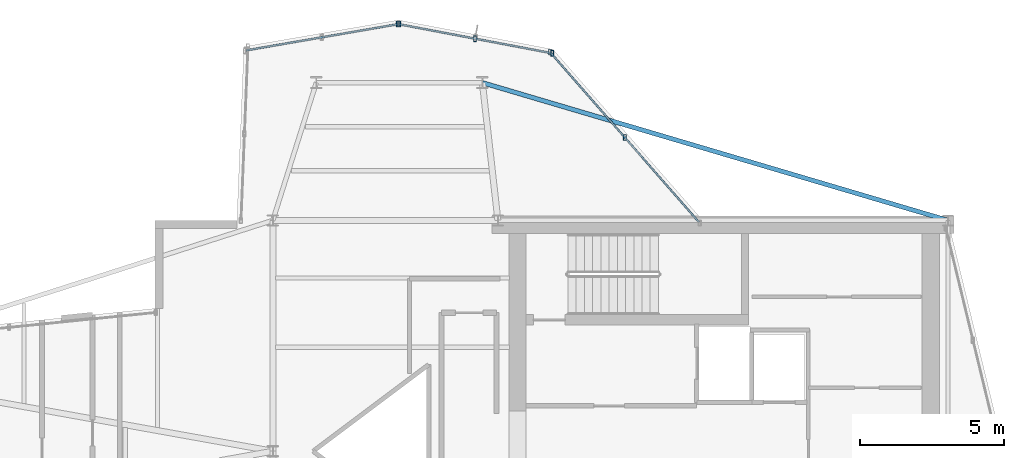
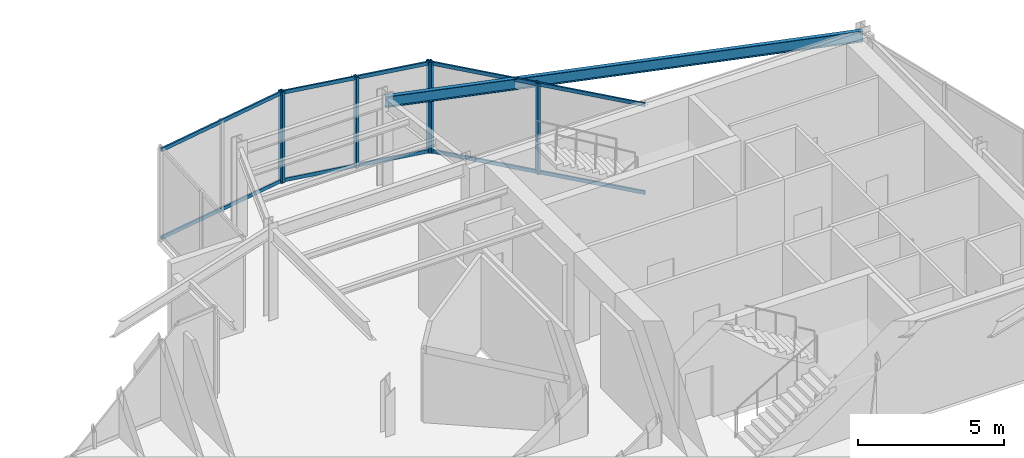
# One storey, part 7 of 14: 12 members, 1 beam, 3 elements without a shape of their own.
"""IFC4 building model written with IfcOpenShell, lengths in metres."""

from ifc_helpers import new_model, si_unit, direction, frame, origin, origin_2d, place, context, subcontext, project, spatial, hollow_rectangle, i_section, extrude, material, layer, layer_set, material_profile, profile_set, type_object, element, aggregate, save


model = new_model("IFC4")

# Units and contexts
model_context = context("Model", 3, precision=1e-05, world=origin(), true_north=direction((0.0, 1.0)))
body_context = subcontext(model_context, "Body", "Model", "MODEL_VIEW")
ifc_project = project(units=[si_unit("LENGTHUNIT", "METRE"), si_unit("AREAUNIT", "SQUARE_METRE"), si_unit("VOLUMEUNIT", "CUBIC_METRE"), si_unit("PLANEANGLEUNIT", "RADIAN"), si_unit("MASSUNIT", "GRAM", prefix="KILO")], contexts=[model_context])

# Site, building, storey
site_placement = place(None, origin())
site = spatial("IfcSite", under=ifc_project, at=site_placement, CompositionType="ELEMENT")
building_placement = place(site_placement, origin())
building = spatial("IfcBuilding", under=site, at=building_placement, Name="Veymaron Broadcast Tower", CompositionType="ELEMENT")
storey_placement = place(building_placement, frame((0.0, 0.0, 270.89990234375)))
storey = spatial("IfcBuildingStorey", under=building, at=storey_placement, Name="L63", CompositionType="ELEMENT", Elevation=270.89990234375)

# Beam
ifc_material_1 = material(Name="Structural steel ASTM A992 Gr 50", Category="steel")
ifc_material_profile_1 = material_profile(ifc_material_1, i_section(OverallWidth=0.154052734375, OverallDepth=0.458984375, WebThickness=0.009033203125, FlangeThickness=0.015380859375, at=origin_2d()), Name="W460X68")
ifc_profile_set_1 = profile_set([ifc_material_profile_1], Name="Structural steel ASTM A992 Gr 50")
beam_type = type_object("IfcBeamType", Name="BM-SP2", PredefinedType="SPANDREL", material=ifc_profile_set_1)
beam_placement = place(storey_placement, frame((54.60009765625, 32.0, 3.58056640625), z_axis=(-0.958955148663, 0.283557794556, 0.0), x_axis=(-0.283557794556, -0.958955148663, 0.0)))
element("IfcBeam", 1, at=beam_placement, inside=storey, type_object=beam_type, Name="L63 primary structural floor girder", PredefinedType="SPANDREL", context=body_context, shape_type="SweptSolid", body=[
    extrude(i_section(OverallWidth=0.154052734375, OverallDepth=0.458984375, WebThickness=0.009033203125, FlangeThickness=0.015380859375, at=origin_2d()), origin(), (0.0, 0.0, 1.0), 16.828857421875),
])

# Curtain wall, members
ifc_material_2 = material(Name="Anodised aluminium AA 6063-T6 and laminated low-E dark glass", Category="aluminium")
ifc_layer = layer(ifc_material_2, 0.179931640625)
ifc_layer_set = layer_set([ifc_layer], Name="Anodised aluminium AA 6063-T6 and laminated low-E dark glass")
curtain_wall_type = type_object("IfcCurtainWallType", Name="CW-SYS-06", PredefinedType="NOTDEFINED", material=ifc_layer_set)
curtain_wall_1_placement = place(storey_placement, origin())
curtain_wall_1 = element("IfcCurtainWall", 2, at=curtain_wall_1_placement, inside=storey, type_object=curtain_wall_type, Name="L63 dark-glass curtain wall CW-L63-E5-1", PredefinedType="NOTDEFINED")
ifc_material_3 = material(Name="Anodised aluminium AA 6063-T6", Category="aluminium")
ifc_material_profile_2 = material_profile(ifc_material_3, hollow_rectangle(XDim=0.10009765625, YDim=0.199951171875, WallThickness=0.010009765625, at=origin_2d()), Name="RHS200X100X10")
ifc_profile_set_2 = profile_set([ifc_material_profile_2], Name="Anodised aluminium AA 6063-T6")
member_type_1 = type_object("IfcMemberType", Name="CW-MUL-01", PredefinedType="MULLION", material=ifc_profile_set_2)
member_1_placement = place(storey_placement, frame((43.400146484375, 34.872314453125, 0.0), z_axis=(0.0, 0.0, 1.0), x_axis=(1.0, 0.0, 0.0)))
member_1 = element("IfcMember", 3, at=member_1_placement, type_object=member_type_1, Name="CW-L63-E5-1 mullion 1", PredefinedType="MULLION", context=body_context, shape_type="SweptSolid", body=[
    extrude(hollow_rectangle(XDim=0.10009765625, YDim=0.199951171875, WallThickness=0.010009765625, at=origin_2d()), origin(), (0.0, 0.0, 1.0), 3.81005859375),
])
member_2_placement = place(storey_placement, frame((40.805908203125, 37.836669921875, 0.0), z_axis=(0.0, 0.0, 1.0), x_axis=(1.0, 0.0, 0.0)))
member_2 = element("IfcMember", 4, at=member_2_placement, type_object=member_type_1, Name="CW-L63-E5-1 mullion 2", PredefinedType="MULLION", context=body_context, shape_type="SweptSolid", body=[
    extrude(hollow_rectangle(XDim=0.10009765625, YDim=0.199951171875, WallThickness=0.010009765625, at=origin_2d()), origin(), (0.0, 0.0, 1.0), 3.81005859375),
])

curtain_wall_2_placement = place(storey_placement, origin())
curtain_wall_2 = element("IfcCurtainWall", 5, at=curtain_wall_2_placement, inside=storey, type_object=curtain_wall_type, Name="L63 dark-glass curtain wall CW-L63-E6-1", PredefinedType="NOTDEFINED")
member_3_placement = place(storey_placement, frame((40.88525390625, 37.791259765625, 0.0), z_axis=(0.0, 0.0, 1.0), x_axis=(1.0, 0.0, 0.0)))
member_3 = element("IfcMember", 6, at=member_3_placement, type_object=member_type_1, Name="CW-L63-E6-1 mullion 0", PredefinedType="MULLION", context=body_context, shape_type="SweptSolid", body=[
    extrude(hollow_rectangle(XDim=0.10009765625, YDim=0.199951171875, WallThickness=0.010009765625, at=origin_2d()), origin(), (0.0, 0.0, 1.0), 3.81005859375),
])
member_4_placement = place(storey_placement, frame((38.206298828125, 38.299560546875, 0.0), z_axis=(0.0, 0.0, 1.0), x_axis=(1.0, 0.0, 0.0)))
member_4 = element("IfcMember", 7, at=member_4_placement, type_object=member_type_1, Name="CW-L63-E6-1 mullion 1", PredefinedType="MULLION", context=body_context, shape_type="SweptSolid", body=[
    extrude(hollow_rectangle(XDim=0.10009765625, YDim=0.199951171875, WallThickness=0.010009765625, at=origin_2d()), origin(), (0.0, 0.0, 1.0), 3.81005859375),
])
member_5_placement = place(storey_placement, frame((35.527099609375, 38.8076171875, 0.0), z_axis=(0.0, 0.0, 1.0), x_axis=(1.0, 0.0, 0.0)))
member_5 = element("IfcMember", 8, at=member_5_placement, type_object=member_type_1, Name="CW-L63-E6-1 mullion 2", PredefinedType="MULLION", context=body_context, shape_type="SweptSolid", body=[
    extrude(hollow_rectangle(XDim=0.10009765625, YDim=0.199951171875, WallThickness=0.010009765625, at=origin_2d()), origin(), (0.0, 0.0, 1.0), 3.81005859375),
])

# Curtain wall, member
curtain_wall_3_placement = place(storey_placement, origin())
curtain_wall_3 = element("IfcCurtainWall", 9, at=curtain_wall_3_placement, inside=storey, type_object=curtain_wall_type, Name="L63 dark-glass curtain wall CW-L63-E7-1", PredefinedType="NOTDEFINED")
member_6_placement = place(storey_placement, frame((35.576904296875, 38.80712890625, 0.0), z_axis=(0.0, 0.0, 1.0), x_axis=(1.0, 0.0, 0.0)))
member_6 = element("IfcMember", 10, at=member_6_placement, type_object=member_type_1, Name="CW-L63-E7-1 mullion 0", PredefinedType="MULLION", context=body_context, shape_type="SweptSolid", body=[
    extrude(hollow_rectangle(XDim=0.10009765625, YDim=0.199951171875, WallThickness=0.010009765625, at=origin_2d()), origin(), (0.0, 0.0, 1.0), 3.81005859375),
])

# Member
ifc_material_profile_3 = material_profile(ifc_material_3, hollow_rectangle(XDim=0.06494140625, YDim=0.14990234375, WallThickness=0.00390625, at=origin_2d()), Name="AL150X65X4")
ifc_profile_set_3 = profile_set([ifc_material_profile_3], Name="Anodised aluminium AA 6063-T6")
member_type_2 = type_object("IfcMemberType", Name="CW-TRN-01", PredefinedType="USERDEFINED", material=ifc_profile_set_3)
member_7_placement = place(storey_placement, frame((45.961669921875, 31.9453125, 0.070068359375), z_axis=(-0.658560155481, 0.752528086926, 0.0), x_axis=(-0.752528086926, -0.658560155481, 0.0)))
member_7 = element("IfcMember", 11, at=member_7_placement, type_object=member_type_2, Name="CW-L63-E5-1 transom B", ObjectType="TRANSOM", PredefinedType="USERDEFINED", context=body_context, shape_type="SweptSolid", body=[
    extrude(hollow_rectangle(XDim=0.06494140625, YDim=0.14990234375, WallThickness=0.00390625, at=origin_2d()), origin(), (0.0, 0.0, 1.0), 7.77880859375),
])

member_8_placement = place(storey_placement, frame((45.961669921875, 31.9453125, 3.739990234375), z_axis=(-0.658560155481, 0.752528086926, 0.0), x_axis=(-0.752528086926, -0.658560155481, 0.0)))
member_8 = element("IfcMember", 12, at=member_8_placement, type_object=member_type_2, Name="CW-L63-E5-1 transom T", ObjectType="TRANSOM", PredefinedType="USERDEFINED", context=body_context, shape_type="SweptSolid", body=[
    extrude(hollow_rectangle(XDim=0.06494140625, YDim=0.14990234375, WallThickness=0.00390625, at=origin_2d()), origin(), (0.0, 0.0, 1.0), 7.77880859375),
])

aggregate(curtain_wall_1, [member_1, member_2, member_7, member_8])

member_9_placement = place(storey_placement, frame((40.836181640625, 37.800537109375, 0.070068359375), z_axis=(-0.982479182854, 0.186372356478, 0.0), x_axis=(-0.186372356478, -0.982479182854, 0.0)))
member_9 = element("IfcMember", 13, at=member_9_placement, type_object=member_type_2, Name="CW-L63-E6-1 transom B", ObjectType="TRANSOM", PredefinedType="USERDEFINED", context=body_context, shape_type="SweptSolid", body=[
    extrude(hollow_rectangle(XDim=0.06494140625, YDim=0.14990234375, WallThickness=0.00390625, at=origin_2d()), origin(), (0.0, 0.0, 1.0), 5.353759765625),
])

member_10_placement = place(storey_placement, frame((40.836181640625, 37.800537109375, 3.739990234375), z_axis=(-0.982479182854, 0.186372356478, 0.0), x_axis=(-0.186372356478, -0.982479182854, 0.0)))
member_10 = element("IfcMember", 14, at=member_10_placement, type_object=member_type_2, Name="CW-L63-E6-1 transom T", ObjectType="TRANSOM", PredefinedType="USERDEFINED", context=body_context, shape_type="SweptSolid", body=[
    extrude(hollow_rectangle(XDim=0.06494140625, YDim=0.14990234375, WallThickness=0.00390625, at=origin_2d()), origin(), (0.0, 0.0, 1.0), 5.353759765625),
])

aggregate(curtain_wall_2, [member_3, member_4, member_5, member_9, member_10])

member_11_placement = place(storey_placement, frame((35.527587890625, 38.798583984375, 0.070068359375), z_axis=(-0.985454833095, -0.169937553031, 0.0), x_axis=(0.169937553031, -0.985454833095, 0.0)))
member_11 = element("IfcMember", 15, at=member_11_placement, type_object=member_type_2, Name="CW-L63-E7-1 transom B", ObjectType="TRANSOM", PredefinedType="USERDEFINED", context=body_context, shape_type="SweptSolid", body=[
    extrude(hollow_rectangle(XDim=0.06494140625, YDim=0.14990234375, WallThickness=0.00390625, at=origin_2d()), origin(), (0.0, 0.0, 1.0), 5.337158203125),
])

member_12_placement = place(storey_placement, frame((35.527587890625, 38.798583984375, 3.739990234375), z_axis=(-0.985454833095, -0.169937553031, 0.0), x_axis=(0.169937553031, -0.985454833095, 0.0)))
member_12 = element("IfcMember", 16, at=member_12_placement, type_object=member_type_2, Name="CW-L63-E7-1 transom T", ObjectType="TRANSOM", PredefinedType="USERDEFINED", context=body_context, shape_type="SweptSolid", body=[
    extrude(hollow_rectangle(XDim=0.06494140625, YDim=0.14990234375, WallThickness=0.00390625, at=origin_2d()), origin(), (0.0, 0.0, 1.0), 5.337158203125),
])

aggregate(curtain_wall_3, [member_6, member_11, member_12])

save(model, "model.ifc")
